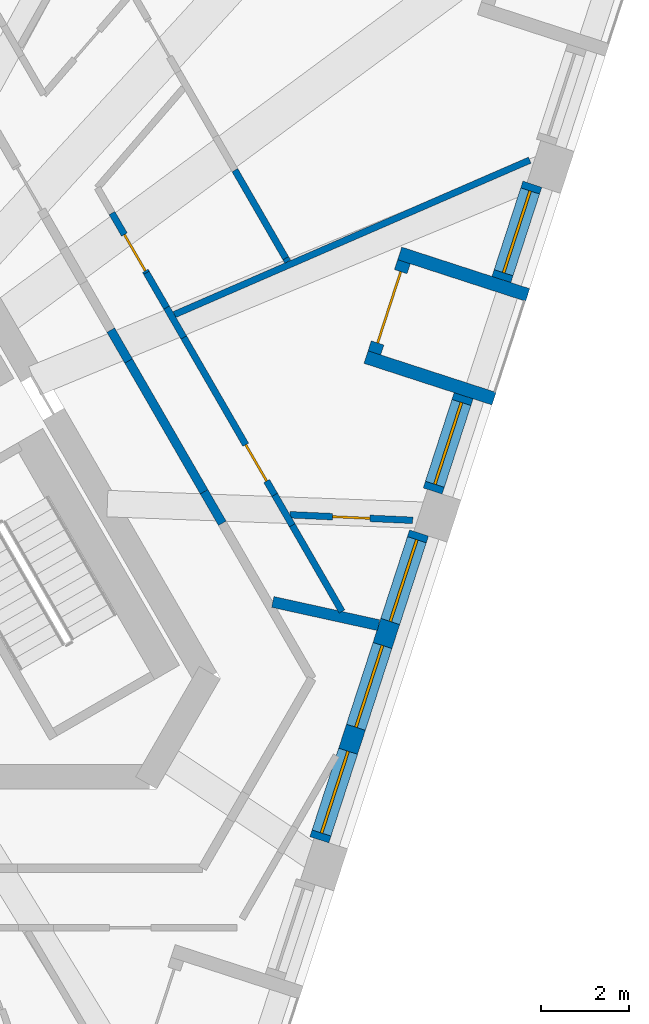
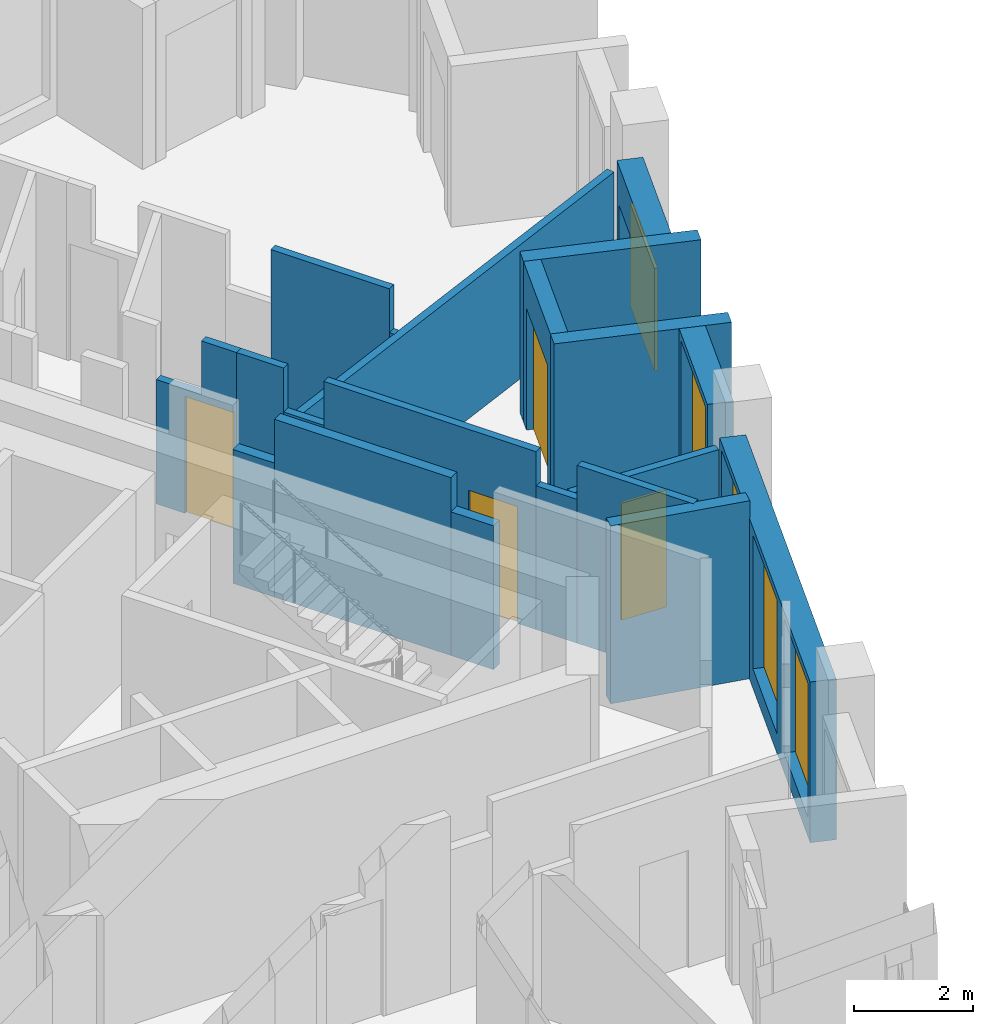
# One storey, part 6 of 13: 20 walls, 5 windows, 4 doors, 9 openings.
"""IFC4 building model written with IfcOpenShell, lengths in metres."""

from ifc_helpers import new_model, si_unit, direction, frame, frame_2d, origin, place, context, subcontext, project, spatial, polyline, rectangle, outline, extrude, material, layer, layer_set, type_object, element, fill, save


model = new_model("IFC4")

# Units and contexts
model_context = context("Model", 3, precision=1e-05, world=origin(), true_north=direction((0.0, 1.0)))
body_context = subcontext(model_context, "Body", "Model", "MODEL_VIEW")
ifc_project = project(units=[si_unit("LENGTHUNIT", "METRE"), si_unit("AREAUNIT", "SQUARE_METRE"), si_unit("VOLUMEUNIT", "CUBIC_METRE"), si_unit("PLANEANGLEUNIT", "RADIAN"), si_unit("MASSUNIT", "GRAM", prefix="KILO")], contexts=[model_context])

# Site, building, storey
site_placement = place(None, origin())
site = spatial("IfcSite", under=ifc_project, at=site_placement, CompositionType="ELEMENT")
building_placement = place(site_placement, origin())
building = spatial("IfcBuilding", under=site, at=building_placement, Name="Tramontana Tower", CompositionType="ELEMENT")
storey_placement = place(building_placement, frame((0.0, 0.0, 328.39990234375)))
storey = spatial("IfcBuildingStorey", under=building, at=storey_placement, Name="L75", CompositionType="ELEMENT", Elevation=328.39990234375)

# Walls
ifc_material_1 = material(Name="Blockwork", Category="masonry")
ifc_layer_1 = layer(ifc_material_1, 0.199951171875)
ifc_layer_set_1 = layer_set([ifc_layer_1], Name="ENTRY WALL 200")
wall_type_1 = type_object("IfcWallType", Name="ENTRY WALL 200", PredefinedType="SOLIDWALL", material=ifc_layer_set_1)
wall_1_placement = place(storey_placement, frame((7.765380859375, 3.64990234375, 0.0), z_axis=(0.0, 0.0, 1.0), x_axis=(0.500141487433, -0.865943700565, 0.0)))
element("IfcWall", 1, at=wall_1_placement, inside=storey, type_object=wall_type_1, Name="Wall v80-ew5-7", PredefinedType="SOLIDWALL", context=body_context, shape_type="SweptSolid", body=[
    extrude(rectangle(XDim=0.806884765625, YDim=0.199951171875, at=frame_2d((0.4033203125, 0.0))), origin(), (0.0, 0.0, 1.0), 2.75),
])
wall_2_placement = place(storey_placement, frame((8.1689453125, 2.951171875, 0.0), z_axis=(0.0, 0.0, 1.0), x_axis=(0.499959115548, -0.866049007147, 0.0)))
element("IfcWall", 2, at=wall_2_placement, inside=storey, type_object=wall_type_1, Name="Wall v80-ew5-8", PredefinedType="SOLIDWALL", context=body_context, shape_type="SweptSolid", body=[
    extrude(rectangle(XDim=3.423095703125, YDim=0.199951171875, at=frame_2d((1.71142578125, 0.0))), origin(), (0.0, 0.0, 1.0), 3.650146484375),
])
wall_3_placement = place(storey_placement, frame((9.88037109375, -0.013427734375, 0.0), z_axis=(0.0, 0.0, 1.0), x_axis=(0.499952654668, -0.866052736899, 0.0)))
element("IfcWall", 3, at=wall_3_placement, inside=storey, type_object=wall_type_1, Name="Wall v80-ew5-9", PredefinedType="SOLIDWALL", context=body_context, shape_type="SweptSolid", body=[
    extrude(rectangle(XDim=0.826171875, YDim=0.199951171875, at=frame_2d((0.4130859375, 0.0))), origin(), (0.0, 0.0, 1.0), 2.9501953125),
])

# Wall, openings, windows
ifc_material_2 = material(Name="Precast concrete 60 MPa", Category="concrete")
ifc_layer_2 = layer(ifc_material_2, 0.449951171875)
ifc_layer_set_2 = layer_set([ifc_layer_2], Name="Precast concrete 60 MPa, 450 mm")
wall_type_2 = type_object("IfcWallType", Name="EW1 Stone-faced precast wall 450", PredefinedType="SOLIDWALL", material=ifc_layer_set_2)
wall_4_placement = place(storey_placement, frame((12.493896484375, -7.904541015625, 0.0), z_axis=(0.0, 0.0, 1.0), x_axis=(0.309008326872, 0.951059332494, 0.0)))
wall_4 = element("IfcWall", 4, at=wall_4_placement, inside=storey, type_object=wall_type_2, Name="External wall L75 face 1 bay 3", PredefinedType="SOLIDWALL", context=body_context, shape_type="SweptSolid", body=[
    extrude(rectangle(XDim=7.313720703125, YDim=0.449951171875, at=frame_2d((3.65673828125, 0.0))), origin(), (0.0, 0.0, 1.0), 3.300048828125),
])
opening_1_placement = place(wall_4_placement, frame((0.16064453125, 0.0, 0.39990234375)))
opening_1 = element("IfcOpeningElement", 5, at=opening_1_placement, cuts=wall_4, Name="Opening M3", PredefinedType="OPENING", context=body_context, shape_type="SweptSolid", body=[
    extrude(rectangle(XDim=1.949951171875, YDim=2.75, at=frame_2d((0.97509765625, 1.375))), frame((0.0, 0.23486328125, 0.0), z_axis=(0.0, -1.0, 0.0), x_axis=(1.0, 0.0, 0.0)), (0.0, 0.0, 1.0), 0.469970703125),
])
opening_2_placement = place(wall_4_placement, frame((2.681884765625, 0.0, 0.39990234375)))
opening_2 = element("IfcOpeningElement", 6, at=opening_2_placement, cuts=wall_4, Name="Opening M3", PredefinedType="OPENING", context=body_context, shape_type="SweptSolid", body=[
    extrude(rectangle(XDim=1.949951171875, YDim=2.75, at=frame_2d((0.97509765625, 1.375))), frame((0.0, 0.23486328125, 0.0), z_axis=(0.0, -1.0, 0.0), x_axis=(1.0, 0.0, 0.0)), (0.0, 0.0, 1.0), 0.469970703125),
])
opening_3_placement = place(wall_4_placement, frame((5.203125, 0.0, 0.39990234375)))
opening_3 = element("IfcOpeningElement", 7, at=opening_3_placement, cuts=wall_4, Name="Opening M3", PredefinedType="OPENING", context=body_context, shape_type="SweptSolid", body=[
    extrude(rectangle(XDim=1.949951171875, YDim=2.75, at=frame_2d((0.97509765625, 1.375))), frame((0.0, 0.23486328125, 0.0), z_axis=(0.0, -1.0, 0.0), x_axis=(1.0, 0.0, 0.0)), (0.0, 0.0, 1.0), 0.469970703125),
])
ifc_material_3 = material(Name="Aluminum frame, double glazing unit", Category="aluminium")
window_type_1 = type_object("IfcWindowType", Name="M3 Window 1.95 x 2.75", PartitioningType="SINGLE_PANEL", PredefinedType="WINDOW", material=ifc_material_3)
window_1_placement = place(opening_1_placement, origin())
window_1 = element("IfcWindow", 8, at=window_1_placement, inside=storey, type_object=window_type_1, Name="Window M3 L75 face 1 module 7", OverallHeight=2.75, OverallWidth=1.949951171875, PartitioningType="SINGLE_PANEL", PredefinedType="WINDOW", context=body_context, shape_type="SweptSolid", body=[
    extrude(rectangle(XDim=1.949951171875, YDim=2.75, at=frame_2d((0.97509765625, 1.375))), frame((0.0, 0.030029296875, 0.0), z_axis=(0.0, -1.0, 0.0), x_axis=(1.0, 0.0, 0.0)), (0.0, 0.0, 1.0), 0.06005859375),
])
fill(opening_1, window_1)
window_2_placement = place(opening_2_placement, origin())
window_2 = element("IfcWindow", 9, at=window_2_placement, inside=storey, type_object=window_type_1, Name="Window M3 L75 face 1 module 8", OverallHeight=2.75, OverallWidth=1.949951171875, PartitioningType="SINGLE_PANEL", PredefinedType="WINDOW", context=body_context, shape_type="SweptSolid", body=[
    extrude(rectangle(XDim=1.949951171875, YDim=2.75, at=frame_2d((0.97509765625, 1.375))), frame((0.0, 0.030029296875, 0.0), z_axis=(0.0, -1.0, 0.0), x_axis=(1.0, 0.0, 0.0)), (0.0, 0.0, 1.0), 0.06005859375),
])
fill(opening_2, window_2)
window_3_placement = place(opening_3_placement, origin())
window_3 = element("IfcWindow", 10, at=window_3_placement, inside=storey, type_object=window_type_1, Name="Window M3 L75 face 1 module 9", OverallHeight=2.75, OverallWidth=1.949951171875, PartitioningType="SINGLE_PANEL", PredefinedType="WINDOW", context=body_context, shape_type="SweptSolid", body=[
    extrude(rectangle(XDim=1.949951171875, YDim=2.75, at=frame_2d((0.97509765625, 1.375))), frame((0.0, 0.030029296875, 0.0), z_axis=(0.0, -1.0, 0.0), x_axis=(1.0, 0.0, 0.0)), (0.0, 0.0, 1.0), 0.06005859375),
])
fill(opening_3, window_3)

# Wall, opening, window
wall_5_placement = place(storey_placement, frame((15.06298828125, 0.00244140625, 0.0), z_axis=(0.0, 0.0, 1.0), x_axis=(0.309059334219, 0.951042758204, 0.0)))
wall_5 = element("IfcWall", 11, at=wall_5_placement, inside=storey, type_object=wall_type_2, Name="External wall L75 face 1 bay 4", PredefinedType="SOLIDWALL", context=body_context, shape_type="SweptSolid", body=[
    extrude(rectangle(XDim=2.27099609375, YDim=0.449951171875, at=frame_2d((1.135498046875, 0.0))), origin(), (0.0, 0.0, 1.0), 3.300048828125),
])
opening_4_placement = place(wall_5_placement, frame((0.16064453125, 0.0, 0.39990234375)))
opening_4 = element("IfcOpeningElement", 12, at=opening_4_placement, cuts=wall_5, Name="Opening M3", PredefinedType="OPENING", context=body_context, shape_type="SweptSolid", body=[
    extrude(rectangle(XDim=1.949951171875, YDim=2.75, at=frame_2d((0.97509765625, 1.375))), frame((0.0, 0.23486328125, 0.0), z_axis=(0.0, -1.0, 0.0), x_axis=(1.0, 0.0, 0.0)), (0.0, 0.0, 1.0), 0.469970703125),
])
window_4_placement = place(opening_4_placement, origin())
window_4 = element("IfcWindow", 13, at=window_4_placement, inside=storey, type_object=window_type_1, Name="Window M3 L75 face 1 module 10", OverallHeight=2.75, OverallWidth=1.949951171875, PartitioningType="SINGLE_PANEL", PredefinedType="WINDOW", context=body_context, shape_type="SweptSolid", body=[
    extrude(rectangle(XDim=1.949951171875, YDim=2.75, at=frame_2d((0.97509765625, 1.375))), frame((0.0, 0.030029296875, 0.0), z_axis=(0.0, -1.0, 0.0), x_axis=(1.0, 0.0, 0.0)), (0.0, 0.0, 1.0), 0.06005859375),
])
fill(opening_4, window_4)

wall_6_placement = place(storey_placement, frame((16.62109375, 4.798095703125, 0.0), z_axis=(0.0, 0.0, 1.0), x_axis=(0.309027740273, 0.951053024674, 0.0)))
wall_6 = element("IfcWall", 14, at=wall_6_placement, inside=storey, type_object=wall_type_2, Name="External wall L75 face 1 bay 4", PredefinedType="SOLIDWALL", context=body_context, shape_type="SweptSolid", body=[
    extrude(rectangle(XDim=2.271240234375, YDim=0.449951171875, at=frame_2d((1.1357421875, 0.0))), origin(), (0.0, 0.0, 1.0), 3.300048828125),
])
opening_5_placement = place(wall_6_placement, frame((0.16064453125, 0.0, 0.39990234375)))
opening_5 = element("IfcOpeningElement", 15, at=opening_5_placement, cuts=wall_6, Name="Opening M3L", PredefinedType="OPENING", context=body_context, shape_type="SweptSolid", body=[
    extrude(rectangle(XDim=1.949951171875, YDim=2.10009765625, at=frame_2d((0.97509765625, 1.050048828125))), frame((0.0, 0.23486328125, 0.0), z_axis=(0.0, -1.0, 0.0), x_axis=(1.0, 0.0, 0.0)), (0.0, 0.0, 1.0), 0.469970703125),
])
ifc_material_4 = material(Name="Aluminum frame, double glazing unit", Category="aluminium")
window_type_2 = type_object("IfcWindowType", Name="M3L Window 1.95 x 2.1", PartitioningType="SINGLE_PANEL", PredefinedType="WINDOW", material=ifc_material_4)
window_5_placement = place(opening_5_placement, origin())
window_5 = element("IfcWindow", 16, at=window_5_placement, inside=storey, type_object=window_type_2, Name="Window M3L L75 face 1 module 12", OverallHeight=2.10009765625, OverallWidth=1.949951171875, PartitioningType="SINGLE_PANEL", PredefinedType="WINDOW", context=body_context, shape_type="SweptSolid", body=[
    extrude(rectangle(XDim=1.949951171875, YDim=2.10009765625, at=frame_2d((0.97509765625, 1.050048828125))), frame((0.0, 0.030029296875, 0.0), z_axis=(0.0, -1.0, 0.0), x_axis=(1.0, 0.0, 0.0)), (0.0, 0.0, 1.0), 0.06005859375),
])
fill(opening_5, window_5)

# Wall, opening, door
ifc_material_5 = material(Name="Precast concrete 60 MPa", Category="concrete")
ifc_layer_3 = layer(ifc_material_5, 0.300048828125)
ifc_layer_set_3 = layer_set([ifc_layer_3], Name="LW1 Stone-faced loggia wall 300")
wall_type_3 = type_object("IfcWallType", Name="LW1 Stone-faced loggia wall 300", PredefinedType="SOLIDWALL", material=ifc_layer_set_3)
wall_7_placement = place(storey_placement, frame((13.741455078125, 3.13525390625, 0.0), z_axis=(0.0, 0.0, 1.0), x_axis=(0.308966581759, 0.95107289487, 0.0)))
wall_7 = element("IfcWall", 17, at=wall_7_placement, inside=storey, type_object=wall_type_3, Name="Loggia wall L75 G8S1.10", PredefinedType="SOLIDWALL", context=body_context, shape_type="SweptSolid", body=[
    extrude(rectangle(XDim=2.17138671875, YDim=0.300048828125, at=frame_2d((1.085693359375, 0.0))), origin(), (0.0, 0.0, 1.0), 3.300048828125),
])
opening_6_placement = place(wall_7_placement, frame((0.235595703125, 0.0, 0.0)))
opening_6 = element("IfcOpeningElement", 18, at=opening_6_placement, cuts=wall_7, Name="Opening BD-8S1-10", PredefinedType="OPENING", context=body_context, shape_type="SweptSolid", body=[
    extrude(rectangle(XDim=1.699951171875, YDim=2.5, at=frame_2d((0.85009765625, 1.25))), frame((0.0, 0.159912109375, 0.0), z_axis=(0.0, -1.0, 0.0), x_axis=(1.0, 0.0, 0.0)), (0.0, 0.0, 1.0), 0.320068359375),
])
ifc_material_6 = material(Name="Aluminum frame, double glazing unit", Category="aluminium")
door_type_1 = type_object("IfcDoorType", Name="BD3 Sliding door 1.7 x 2.5", OperationType="SLIDING_TO_LEFT", PredefinedType="DOOR", material=ifc_material_6)
door_1_placement = place(opening_6_placement, origin())
door_1 = element("IfcDoor", 19, at=door_1_placement, inside=storey, type_object=door_type_1, Name="Loggia door L75 G8S1.10", OperationType="SLIDING_TO_LEFT", OverallHeight=2.5, OverallWidth=1.699951171875, PredefinedType="DOOR", context=body_context, shape_type="SweptSolid", body=[
    extrude(rectangle(XDim=1.699951171875, YDim=2.5, at=frame_2d((0.85009765625, 1.25))), frame((0.0, 0.02490234375, 0.0), z_axis=(0.0, -1.0, 0.0), x_axis=(1.0, 0.0, 0.0)), (0.0, 0.0, 1.0), 0.050048828125),
])
fill(opening_6, door_1)

# Walls
for number, where, z_axis, x_axis, name in (
    (20, (16.453125, 2.096435546875, 0.0), (0.0, 0.0, 1.0), (-0.951041715693, 0.309062542235, 0.0), "Loggia return L75 G8S1.10a"),
    (21, (17.216796875, 4.44677734375, 0.0), (0.0, 0.0, 1.0), (-0.951041715693, 0.309062542235, 0.0), "Loggia return L75 G8S1.10b"),
):
    element("IfcWall", number, at=place(storey_placement, frame(where, z_axis=z_axis, x_axis=x_axis)), inside=storey, type_object=wall_type_3, Name=name, PredefinedType="SOLIDWALL", context=body_context, shape_type="SweptSolid", body=[
        extrude(rectangle(XDim=3.050048828125, YDim=0.300048828125, at=frame_2d((1.52490234375, 0.0))), origin(), (0.0, 0.0, 1.0), 3.300048828125),
    ])
ifc_material_7 = material(Name="Gypsum board partition")
ifc_layer_4 = layer(ifc_material_7, 0.14990234375)
ifc_layer_set_4 = layer_set([ifc_layer_4], Name="PARTITION 150")
wall_type_4 = type_object("IfcWallType", Name="PARTITION 150", PredefinedType="PARTITIONING", material=ifc_layer_set_4)
wall_8_placement = place(storey_placement, frame((10.57958984375, 7.275390625, 0.0), z_axis=(0.0, 0.0, 1.0), x_axis=(0.500012835235, -0.866017993231, 0.0)))
element("IfcWall", 22, at=wall_8_placement, inside=storey, type_object=wall_type_4, Name="Wall v80-pw24-4", PredefinedType="PARTITIONING", context=body_context, shape_type="SweptSolid", body=[
    extrude(rectangle(XDim=2.3046875, YDim=0.14990234375, at=frame_2d((1.15234375, 0.0))), origin(), (0.0, 0.0, 1.0), 3.650146484375),
])
wall_9_placement = place(storey_placement, frame((11.73193359375, 5.279541015625, 0.0), z_axis=(0.0, 0.0, 1.0), x_axis=(0.501036270542, -0.865426285481, 0.0)))
element("IfcWall", 23, at=wall_9_placement, inside=storey, type_object=wall_type_4, Name="Wall v80-pw24-5", PredefinedType="PARTITIONING", context=body_context, shape_type="SweptSolid", body=[
    extrude(rectangle(XDim=0.091064453125, YDim=0.14990234375, at=frame_2d((0.04541015625, 0.0))), origin(), (0.0, 0.0, 1.0), 2.75),
])

# Wall, opening, door
wall_10_placement = place(storey_placement, frame((7.792236328125, 6.303466796875, 0.0), z_axis=(0.0, 0.0, 1.0), x_axis=(0.50003806587, -0.866003425329, 0.0)))
wall_10 = element("IfcWall", 24, at=wall_10_placement, inside=storey, type_object=wall_type_4, Name="Wall v80-pw25-1", PredefinedType="PARTITIONING", context=body_context, shape_type="SweptSolid", body=[
    extrude(outline(polyline([(0.0, 0.0), (1.5625, 0.0), (1.562255859375, 3.650146484375), (0.880615234375, 3.650146484375), (0.880615234375, 2.550048828125), (0.0, 2.550048828125), (0.0, 0.0)])), frame((0.0, 0.074951171875, 0.0), z_axis=(0.0, -1.0, 0.0), x_axis=(1.0, 0.0, 0.0)), (0.0, 0.0, 1.0), 0.14990234375),
])
opening_7_placement = place(wall_10_placement, frame((0.562255859375, 0.0, 0.0)))
opening_7 = element("IfcOpeningElement", 25, at=opening_7_placement, cuts=wall_10, Name="Opening B8A-13", PredefinedType="OPENING", context=body_context, shape_type="SweptSolid", body=[
    extrude(rectangle(XDim=0.949951171875, YDim=2.39990234375, at=frame_2d((0.47509765625, 1.199951171875))), frame((0.0, 0.0849609375, 0.0), z_axis=(0.0, -1.0, 0.0), x_axis=(1.0, 0.0, 0.0)), (0.0, 0.0, 1.0), 0.169921875),
])
ifc_material_8 = material(Name="Painted timber", Category="wood")
door_type_2 = type_object("IfcDoorType", Name="DOOR ROOM 950", OperationType="SINGLE_SWING_LEFT", PredefinedType="DOOR", material=ifc_material_8)
door_2_placement = place(opening_7_placement, origin())
door_2 = element("IfcDoor", 26, at=door_2_placement, inside=storey, type_object=door_type_2, Name="Door B8A-13", OperationType="SINGLE_SWING_LEFT", OverallHeight=2.39990234375, OverallWidth=0.949951171875, PredefinedType="DOOR", context=body_context, shape_type="SweptSolid", body=[
    extrude(rectangle(XDim=0.949951171875, YDim=2.39990234375, at=frame_2d((0.47509765625, 1.199951171875))), frame((0.0, 0.02490234375, 0.0), z_axis=(0.0, -1.0, 0.0), x_axis=(1.0, 0.0, 0.0)), (0.0, 0.0, 1.0), 0.050048828125),
])
fill(opening_7, door_2)

# Walls
wall_11_placement = place(storey_placement, frame((8.573486328125, 4.950439453125, 0.0), z_axis=(0.0, 0.0, 1.0), x_axis=(0.500023511883, -0.866011828767, 0.0)))
element("IfcWall", 27, at=wall_11_placement, inside=storey, type_object=wall_type_4, Name="Wall v80-pw25-2", PredefinedType="PARTITIONING", context=body_context, shape_type="SweptSolid", body=[
    extrude(rectangle(XDim=0.91259765625, YDim=0.14990234375, at=frame_2d((0.456298828125, 0.0))), origin(), (0.0, 0.0, 1.0), 3.650146484375),
])
wall_12_placement = place(storey_placement, frame((9.02978515625, 4.16015625, 0.0), z_axis=(0.0, 0.0, 1.0), x_axis=(0.499767520639, -0.866159584207, 0.0)))
element("IfcWall", 28, at=wall_12_placement, inside=storey, type_object=wall_type_4, Name="Wall v80-pw25-3", PredefinedType="PARTITIONING", context=body_context, shape_type="SweptSolid", body=[
    extrude(rectangle(XDim=0.781494140625, YDim=0.14990234375, at=frame_2d((0.390625, 0.0))), origin(), (0.0, 0.0, 1.0), 2.75),
])

# Wall, opening, door
wall_13_placement = place(storey_placement, frame((9.42041015625, 3.483154296875, 0.0), z_axis=(0.0, 0.0, 1.0), x_axis=(0.50002680699, -0.866009926209, 0.0)))
wall_13 = element("IfcWall", 29, at=wall_13_placement, inside=storey, type_object=wall_type_4, Name="Wall v80-pw25-4", PredefinedType="PARTITIONING", context=body_context, shape_type="SweptSolid", body=[
    extrude(rectangle(XDim=4.119873046875, YDim=0.14990234375, at=frame_2d((2.06005859375, 0.0))), origin(), (0.0, 0.0, 1.0), 3.650146484375),
])
opening_8_placement = place(wall_13_placement, frame((2.807861328125, 0.0, 0.0)))
opening_8 = element("IfcOpeningElement", 30, at=opening_8_placement, cuts=wall_13, Name="Opening B8A-16", PredefinedType="OPENING", context=body_context, shape_type="SweptSolid", body=[
    extrude(rectangle(XDim=0.949951171875, YDim=2.39990234375, at=frame_2d((0.47509765625, 1.199951171875))), frame((0.0, 0.0849609375, 0.0), z_axis=(0.0, -1.0, 0.0), x_axis=(1.0, 0.0, 0.0)), (0.0, 0.0, 1.0), 0.169921875),
])
door_3_placement = place(opening_8_placement, origin())
door_3 = element("IfcDoor", 31, at=door_3_placement, inside=storey, type_object=door_type_2, Name="Door B8A-16", OperationType="SINGLE_SWING_RIGHT", OverallHeight=2.39990234375, OverallWidth=0.949951171875, PredefinedType="DOOR", context=body_context, shape_type="SweptSolid", body=[
    extrude(rectangle(XDim=0.949951171875, YDim=2.39990234375, at=frame_2d((0.47509765625, 1.199951171875))), frame((0.0, 0.02490234375, 0.0), z_axis=(0.0, -1.0, 0.0), x_axis=(1.0, 0.0, 0.0)), (0.0, 0.0, 1.0), 0.050048828125),
])
fill(opening_8, door_3)

# Walls
wall_14_placement = place(storey_placement, frame((11.48046875, -0.084716796875, 0.0), z_axis=(0.0, 0.0, 1.0), x_axis=(0.499961121316, -0.86604784924, 0.0)))
element("IfcWall", 32, at=wall_14_placement, inside=storey, type_object=wall_type_4, Name="Wall v80-pw25-5", PredefinedType="PARTITIONING", context=body_context, shape_type="SweptSolid", body=[
    extrude(rectangle(XDim=0.796875, YDim=0.14990234375, at=frame_2d((0.3984375, 0.0))), origin(), (0.0, 0.0, 1.0), 2.9501953125),
])
wall_15_placement = place(storey_placement, frame((11.87890625, -0.77490234375, 0.0), z_axis=(0.0, 0.0, 1.0), x_axis=(0.50003780229, -0.866003577522, 0.0)))
element("IfcWall", 33, at=wall_15_placement, inside=storey, type_object=wall_type_4, Name="Wall v80-pw25-6", PredefinedType="PARTITIONING", context=body_context, shape_type="SweptSolid", body=[
    extrude(rectangle(XDim=2.256103515625, YDim=0.14990234375, at=frame_2d((1.1279296875, 0.0))), origin(), (0.0, 0.0, 1.0), 3.650146484375),
])

# Wall, opening, door
wall_16_placement = place(storey_placement, frame((14.610595703125, -0.661865234375, 0.0), z_axis=(0.0, 0.0, 1.0), x_axis=(-0.998973232514, 0.045304312387, 0.0)))
wall_16 = element("IfcWall", 34, at=wall_16_placement, inside=storey, type_object=wall_type_4, Name="Wall v80-pw29-0", PredefinedType="PARTITIONING", context=body_context, shape_type="SweptSolid", body=[
    extrude(rectangle(XDim=2.7861328125, YDim=0.14990234375, at=frame_2d((1.39306640625, 0.0))), origin(), (0.0, 0.0, 1.0), 2.9501953125),
])
opening_9_placement = place(wall_16_placement, frame((0.968017578125, 0.0, 0.0)))
opening_9 = element("IfcOpeningElement", 35, at=opening_9_placement, cuts=wall_16, Name="Opening B8A-18", PredefinedType="OPENING", context=body_context, shape_type="SweptSolid", body=[
    extrude(rectangle(XDim=0.85009765625, YDim=2.39990234375, at=frame_2d((0.425048828125, 1.199951171875))), frame((0.0, 0.0849609375, 0.0), z_axis=(0.0, -1.0, 0.0), x_axis=(1.0, 0.0, 0.0)), (0.0, 0.0, 1.0), 0.169921875),
])
ifc_material_9 = material(Name="Painted timber", Category="wood")
door_type_3 = type_object("IfcDoorType", Name="DOOR BATH 850", OperationType="SINGLE_SWING_LEFT", PredefinedType="DOOR", material=ifc_material_9)
door_4_placement = place(opening_9_placement, origin())
door_4 = element("IfcDoor", 36, at=door_4_placement, inside=storey, type_object=door_type_3, Name="Door B8A-18", OperationType="SINGLE_SWING_RIGHT", OverallHeight=2.39990234375, OverallWidth=0.85009765625, PredefinedType="DOOR", context=body_context, shape_type="SweptSolid", body=[
    extrude(rectangle(XDim=0.85009765625, YDim=2.39990234375, at=frame_2d((0.425048828125, 1.199951171875))), frame((0.0, 0.02490234375, 0.0), z_axis=(0.0, -1.0, 0.0), x_axis=(1.0, 0.0, 0.0)), (0.0, 0.0, 1.0), 0.050048828125),
])
fill(opening_9, door_4)

# Walls
wall_17_placement = place(storey_placement, frame((17.263427734375, 7.503173828125, 0.0), z_axis=(0.0, 0.0, 1.0), x_axis=(-0.917126165883, -0.398597034425, 0.0)))
element("IfcWall", 37, at=wall_17_placement, inside=storey, type_object=wall_type_4, Name="Wall v80-pw32-0", PredefinedType="PARTITIONING", context=body_context, shape_type="SweptSolid", body=[
    extrude(rectangle(XDim=8.783935546875, YDim=0.14990234375, at=frame_2d((4.39208984375, 0.0))), origin(), (0.0, 0.0, 1.0), 2.75),
])
ifc_material_10 = material(Name="Blockwork", Category="masonry")
ifc_layer_5 = layer(ifc_material_10, 0.25)
ifc_layer_set_5 = layer_set([ifc_layer_5], Name="PARTY WALL 250")
wall_type_5 = type_object("IfcWallType", Name="PARTY WALL 250", PredefinedType="SOLIDWALL", material=ifc_layer_set_5)
wall_18_placement = place(storey_placement, frame((11.438720703125, -2.512451171875, 0.0), z_axis=(0.0, 0.0, 1.0), x_axis=(0.976726571075, -0.2144882406, 0.0)))
element("IfcWall", 38, at=wall_18_placement, inside=storey, type_object=wall_type_5, Name="Wall v80-pw28", PredefinedType="SOLIDWALL", context=body_context, shape_type="SweptSolid", body=[
    extrude(rectangle(XDim=2.456298828125, YDim=0.25, at=frame_2d((1.22802734375, 0.0))), origin(), (0.0, 0.0, 1.0), 3.650146484375),
])

save(model, "model.ifc")
